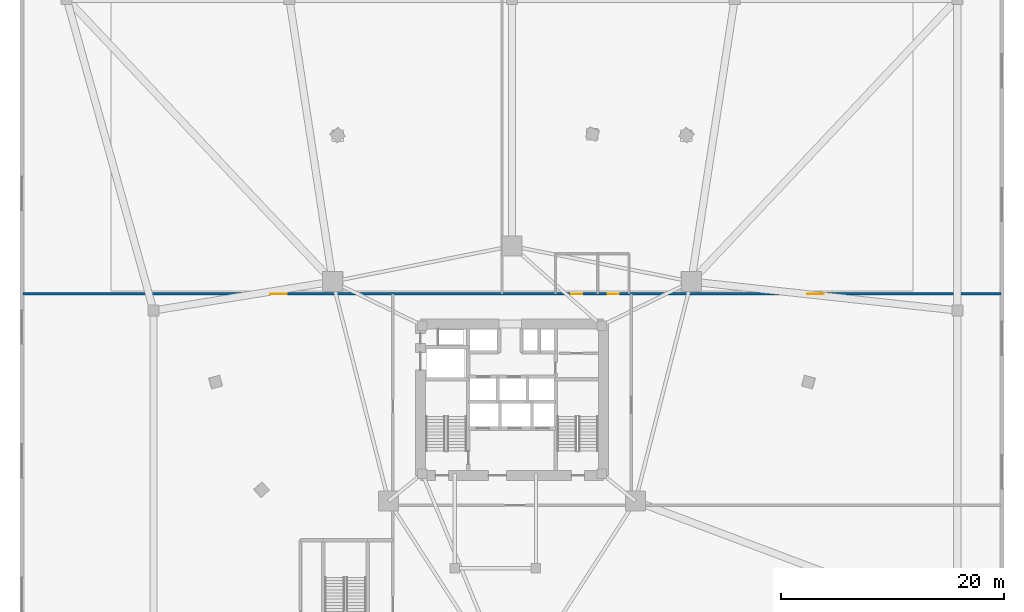
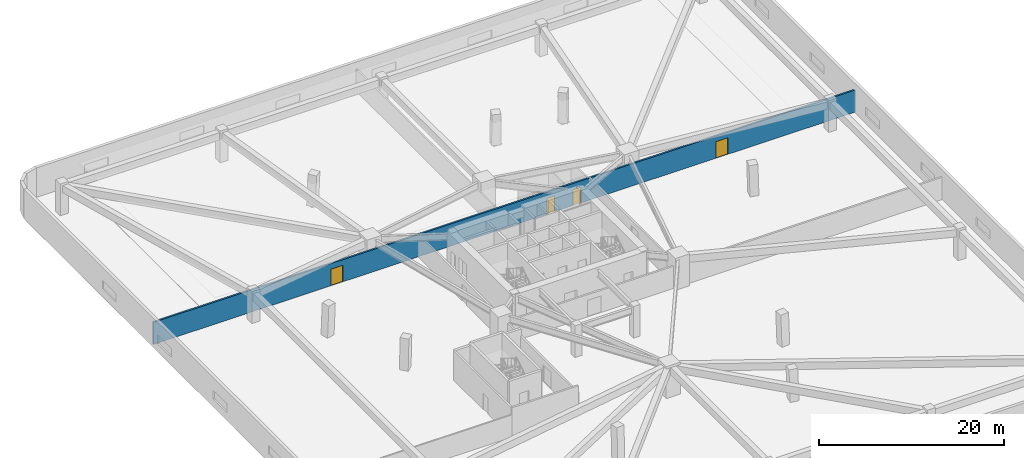
# One storey, part 6 of 10: 4 doors, 1 wall, 4 openings.
"""IFC4 building model written with IfcOpenShell, lengths in metres."""

from ifc_helpers import new_model, si_unit, direction, frame, frame_2d, origin, place, context, subcontext, project, spatial, rectangle, extrude, material, layer, layer_set, type_object, element, fill, save


model = new_model("IFC4")

# Units and contexts
model_context = context("Model", 3, precision=1e-05, world=origin(), true_north=direction((0.0, 1.0)))
body_context = subcontext(model_context, "Body", "Model", "MODEL_VIEW")
ifc_project = project(units=[si_unit("LENGTHUNIT", "METRE"), si_unit("AREAUNIT", "SQUARE_METRE"), si_unit("VOLUMEUNIT", "CUBIC_METRE"), si_unit("PLANEANGLEUNIT", "RADIAN"), si_unit("MASSUNIT", "GRAM", prefix="KILO")], contexts=[model_context])

# Site, building, storey
site_placement = place(None, origin())
site = spatial("IfcSite", under=ifc_project, at=site_placement, CompositionType="ELEMENT")
building_placement = place(site_placement, origin())
building = spatial("IfcBuilding", under=site, at=building_placement, Name="Talyreon Biosciences Tower", CompositionType="ELEMENT")
storey_placement = place(building_placement, frame((0.0, 0.0, 14.39990234375)))
storey = spatial("IfcBuildingStorey", under=building, at=storey_placement, Name="L03", CompositionType="ELEMENT", Elevation=14.39990234375)

# Wall, openings, doors
ifc_material_1 = material(Name="Gypsum fireboard acoustic stud", Category="gypsum")
ifc_layer = layer(ifc_material_1, 0.219970703125)
ifc_layer_set = layer_set([ifc_layer], Name="Gypsum fireboard acoustic stud")
wall_type = type_object("IfcWallType", Name="CorridorRatedPartition_220", PredefinedType="PARTITIONING", material=ifc_layer_set)
wall_placement = place(storey_placement, frame((22.0849609375, 77.5, 0.0), z_axis=(0.0, 0.0, 1.0), x_axis=(1.0, 0.0, 0.0)))
wall = element("IfcWall", 1, at=wall_placement, inside=storey, type_object=wall_type, Name="L03 Interior Wall IW-L03-N", PredefinedType="PARTITIONING", context=body_context, shape_type="SweptSolid", body=[
    extrude(rectangle(XDim=87.830078125, YDim=0.219970703125, at=frame_2d((43.9150390625, 0.0))), origin(), (0.0, 0.0, 1.0), 2.93017578125),
])
opening_1_placement = place(wall_placement, frame((22.19091796875, 0.0, 0.0)))
opening_1 = element("IfcOpeningElement", 2, at=opening_1_placement, cuts=wall, Name="Opening DR-L03-NW1", PredefinedType="OPENING", context=body_context, shape_type="SweptSolid", body=[
    extrude(rectangle(XDim=1.5, YDim=2.199951171875, at=frame_2d((0.75, 1.10009765625))), frame((0.0, 0.119873046875, 0.0), z_axis=(0.0, -1.0, 0.0), x_axis=(1.0, 0.0, 0.0)), (0.0, 0.0, 1.0), 0.239990234375),
])
opening_2_placement = place(wall_placement, frame((49.22509765625, 0.0, 0.0)))
opening_2 = element("IfcOpeningElement", 3, at=opening_2_placement, cuts=wall, Name="Opening DR-L03-WC", PredefinedType="OPENING", context=body_context, shape_type="SweptSolid", body=[
    extrude(rectangle(XDim=0.97998046875, YDim=2.10009765625, at=frame_2d((0.489990234375, 1.050048828125))), frame((0.0, 0.119873046875, 0.0), z_axis=(0.0, -1.0, 0.0), x_axis=(1.0, 0.0, 0.0)), (0.0, 0.0, 1.0), 0.239990234375),
])
opening_3_placement = place(wall_placement, frame((52.52490234375, 0.0, 0.0)))
opening_3 = element("IfcOpeningElement", 4, at=opening_3_placement, cuts=wall, Name="Opening DR-L03-AWC", PredefinedType="OPENING", context=body_context, shape_type="SweptSolid", body=[
    extrude(rectangle(XDim=0.97998046875, YDim=2.10009765625, at=frame_2d((0.489990234375, 1.050048828125))), frame((0.0, 0.119873046875, 0.0), z_axis=(0.0, -1.0, 0.0), x_axis=(1.0, 0.0, 0.0)), (0.0, 0.0, 1.0), 0.239990234375),
])
opening_4_placement = place(wall_placement, frame((70.4150390625, 0.0, 0.0)))
opening_4 = element("IfcOpeningElement", 5, at=opening_4_placement, cuts=wall, Name="Opening DR-L03-NW2", PredefinedType="OPENING", context=body_context, shape_type="SweptSolid", body=[
    extrude(rectangle(XDim=1.5, YDim=2.199951171875, at=frame_2d((0.75, 1.10009765625))), frame((0.0, 0.119873046875, 0.0), z_axis=(0.0, -1.0, 0.0), x_axis=(1.0, 0.0, 0.0)), (0.0, 0.0, 1.0), 0.239990234375),
])
ifc_material_2 = material(Name="Laminate moisture-resistant door", Category="wood")
door_type_1 = type_object("IfcDoorType", Name="AccessibleToiletDoor_980x2100", OperationType="NOTDEFINED", PredefinedType="DOOR", material=ifc_material_2)
door_1_placement = place(opening_2_placement, origin())
door_1 = element("IfcDoor", 6, at=door_1_placement, inside=storey, type_object=door_type_1, Name="L03 Interior Door DR-L03-WC", OperationType="SINGLE_SWING_LEFT", OverallHeight=2.10009765625, OverallWidth=0.97998046875, PredefinedType="DOOR", context=body_context, shape_type="SweptSolid", body=[
    extrude(rectangle(XDim=0.97998046875, YDim=2.10009765625, at=frame_2d((0.489990234375, 1.050048828125))), frame((0.0, 0.02490234375, 0.0), z_axis=(0.0, -1.0, 0.0), x_axis=(1.0, 0.0, 0.0)), (0.0, 0.0, 1.0), 0.050048828125),
])
fill(opening_2, door_1)
door_2_placement = place(opening_3_placement, origin())
door_2 = element("IfcDoor", 7, at=door_2_placement, inside=storey, type_object=door_type_1, Name="L03 Interior Door DR-L03-AWC", OperationType="SINGLE_SWING_RIGHT", OverallHeight=2.10009765625, OverallWidth=0.97998046875, PredefinedType="DOOR", context=body_context, shape_type="SweptSolid", body=[
    extrude(rectangle(XDim=0.97998046875, YDim=2.10009765625, at=frame_2d((0.489990234375, 1.050048828125))), frame((0.0, 0.02490234375, 0.0), z_axis=(0.0, -1.0, 0.0), x_axis=(1.0, 0.0, 0.0)), (0.0, 0.0, 1.0), 0.050048828125),
])
fill(opening_3, door_2)
ifc_material_3 = material(Name="Vision-panel steel laboratory fire door", Category="steel")
door_type_2 = type_object("IfcDoorType", Name="WetLabDoubleLeafDoor_1500x2200", OperationType="DOUBLE_DOOR_SINGLE_SWING", PredefinedType="DOOR", material=ifc_material_3)
door_3_placement = place(opening_1_placement, origin())
door_3 = element("IfcDoor", 8, at=door_3_placement, inside=storey, type_object=door_type_2, Name="L03 Interior Door DR-L03-NW1", OperationType="DOUBLE_DOOR_SINGLE_SWING", OverallHeight=2.199951171875, OverallWidth=1.5, PredefinedType="DOOR", context=body_context, shape_type="SweptSolid", body=[
    extrude(rectangle(XDim=1.5, YDim=2.199951171875, at=frame_2d((0.75, 1.10009765625))), frame((0.0, 0.02490234375, 0.0), z_axis=(0.0, -1.0, 0.0), x_axis=(1.0, 0.0, 0.0)), (0.0, 0.0, 1.0), 0.050048828125),
])
fill(opening_1, door_3)
door_4_placement = place(opening_4_placement, origin())
door_4 = element("IfcDoor", 9, at=door_4_placement, inside=storey, type_object=door_type_2, Name="L03 Interior Door DR-L03-NW2", OperationType="DOUBLE_DOOR_SINGLE_SWING", OverallHeight=2.199951171875, OverallWidth=1.5, PredefinedType="DOOR", context=body_context, shape_type="SweptSolid", body=[
    extrude(rectangle(XDim=1.5, YDim=2.199951171875, at=frame_2d((0.75, 1.10009765625))), frame((0.0, 0.02490234375, 0.0), z_axis=(0.0, -1.0, 0.0), x_axis=(1.0, 0.0, 0.0)), (0.0, 0.0, 1.0), 0.050048828125),
])
fill(opening_4, door_4)

save(model, "model.ifc")
